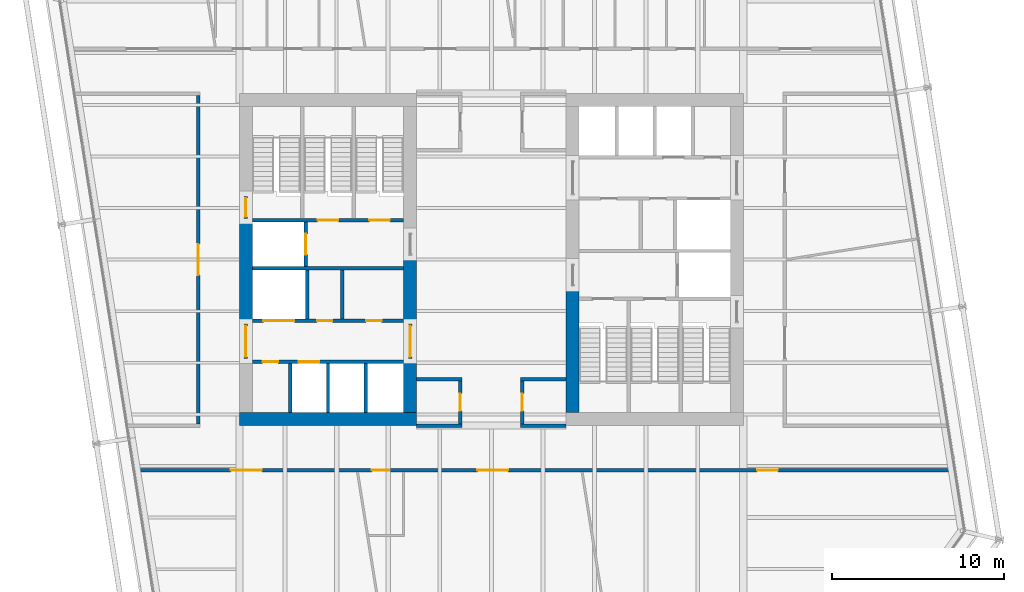
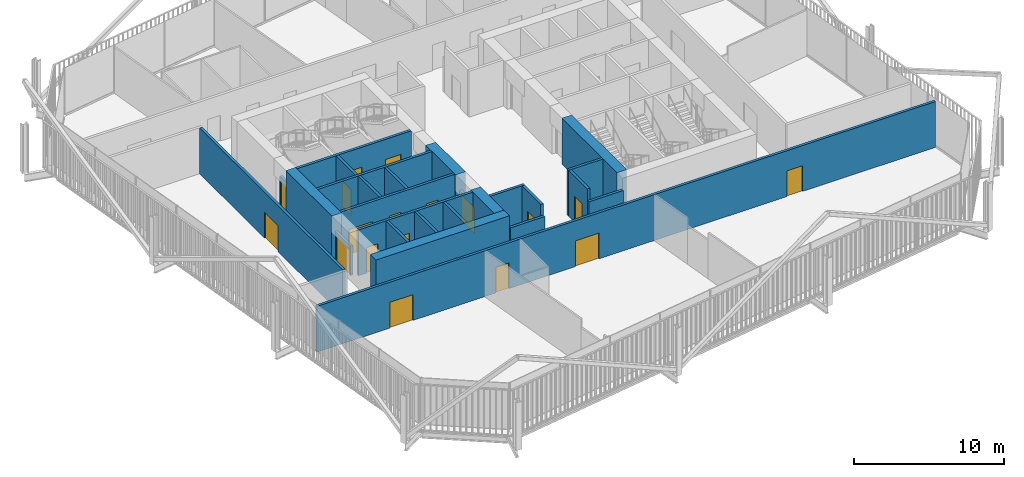
# One storey, part 18 of 22: 26 walls, 18 doors, 18 openings.
"""IFC4 building model written with IfcOpenShell, lengths in metres."""

from ifc_helpers import new_model, si_unit, direction, frame, frame_2d, origin, place, context, subcontext, project, spatial, rectangle, extrude, material, layer, layer_set, type_object, element, fill, save


model = new_model("IFC4")

# Units and contexts
model_context = context("Model", 3, precision=1e-05, world=origin(), true_north=direction((0.0, 1.0)))
body_context = subcontext(model_context, "Body", "Model", "MODEL_VIEW")
ifc_project = project(units=[si_unit("LENGTHUNIT", "METRE"), si_unit("AREAUNIT", "SQUARE_METRE"), si_unit("VOLUMEUNIT", "CUBIC_METRE"), si_unit("PLANEANGLEUNIT", "RADIAN"), si_unit("MASSUNIT", "GRAM", prefix="KILO")], contexts=[model_context])

# Site, building, storey
site_placement = place(None, origin())
site = spatial("IfcSite", under=ifc_project, at=site_placement, CompositionType="ELEMENT")
building_placement = place(site_placement, origin())
building = spatial("IfcBuilding", under=site, at=building_placement, Name="Millrace Tower", CompositionType="ELEMENT")
storey_placement = place(building_placement, frame((0.0, 0.0, 180.0)))
storey = spatial("IfcBuildingStorey", under=building, at=storey_placement, Name="L40", CompositionType="ELEMENT", Elevation=180.0)

# Walls
ifc_material_1 = material(Name="Concrete C70", Category="concrete")
ifc_layer_1 = layer(ifc_material_1, 0.75)
ifc_layer_set_1 = layer_set([ifc_layer_1], Name="Concrete C70")
wall_type_1 = type_object("IfcWallType", Name="Core wall 750 Concrete C70", PredefinedType="SHEAR", material=ifc_layer_set_1)
wall_1_placement = place(storey_placement, frame((-14.64990234375, -9.27490234375, 0.0), z_axis=(0.0, 0.0, 1.0), x_axis=(1.0, 0.0, 0.0)))
element("IfcWall", 1, at=wall_1_placement, inside=storey, type_object=wall_type_1, Name="Core wall W L40", PredefinedType="SHEAR", context=body_context, shape_type="SweptSolid", body=[
    extrude(rectangle(XDim=10.2998046875, YDim=0.75, at=frame_2d((5.14990234375, 0.0))), origin(), (0.0, 0.0, 1.0), 3.739990234375),
])
wall_2_placement = place(storey_placement, frame((-14.27490234375, -3.75, 0.0), z_axis=(0.0, 0.0, 1.0), x_axis=(0.0, 1.0, 0.0)))
element("IfcWall", 2, at=wall_2_placement, inside=storey, type_object=wall_type_1, Name="Core wall W L40", PredefinedType="SHEAR", context=body_context, shape_type="SweptSolid", body=[
    extrude(rectangle(XDim=6.1298828125, YDim=0.75, at=frame_2d((3.06494140625, 0.0))), origin(), (0.0, 0.0, 1.0), 3.739990234375),
])
wall_3_placement = place(storey_placement, frame((-4.72509765625, -8.89990234375, 0.0), z_axis=(0.0, 0.0, 1.0), x_axis=(0.0, 1.0, 0.0)))
element("IfcWall", 3, at=wall_3_placement, inside=storey, type_object=wall_type_1, Name="Core wall W L40", PredefinedType="SHEAR", context=body_context, shape_type="SweptSolid", body=[
    extrude(rectangle(XDim=3.14990234375, YDim=0.75, at=frame_2d((1.574951171875, 0.0))), origin(), (0.0, 0.0, 1.0), 3.739990234375),
])
wall_4_placement = place(storey_placement, frame((-4.72509765625, -3.75, 0.0), z_axis=(0.0, 0.0, 1.0), x_axis=(0.0, 1.0, 0.0)))
element("IfcWall", 4, at=wall_4_placement, inside=storey, type_object=wall_type_1, Name="Core wall W L40", PredefinedType="SHEAR", context=body_context, shape_type="SweptSolid", body=[
    extrude(rectangle(XDim=4.0, YDim=0.75, at=frame_2d((2.0, 0.0))), origin(), (0.0, 0.0, 1.0), 3.739990234375),
])
wall_5_placement = place(storey_placement, frame((4.72509765625, -1.550048828125, 0.0), z_axis=(0.0, 0.0, 1.0), x_axis=(0.0, -1.0, 0.0)))
element("IfcWall", 5, at=wall_5_placement, inside=storey, type_object=wall_type_1, Name="Core wall E L40", PredefinedType="SHEAR", context=body_context, shape_type="SweptSolid", body=[
    extrude(rectangle(XDim=7.349853515625, YDim=0.75, at=frame_2d((3.6748046875, 0.0))), origin(), (0.0, 0.0, 1.0), 3.739990234375),
])

# Wall, openings, doors
ifc_material_2 = material(Name="Masonry partition, fire-rated", Category="masonry")
ifc_layer_2 = layer(ifc_material_2, 0.199951171875)
ifc_layer_set_2 = layer_set([ifc_layer_2], Name="Masonry partition, fire-rated")
wall_type_2 = type_object("IfcWallType", Name="Corridor wall 200", PredefinedType="PARTITIONING", material=ifc_layer_set_2)
wall_6_placement = place(storey_placement, frame((-20.738525390625, -12.25, 0.0), z_axis=(0.0, 0.0, 1.0), x_axis=(1.0, 0.0, 0.0)))
wall_6 = element("IfcWall", 6, at=wall_6_placement, inside=storey, type_object=wall_type_2, Name="Corridor wall L40", PredefinedType="PARTITIONING", context=body_context, shape_type="SweptSolid", body=[
    extrude(rectangle(XDim=47.646484375, YDim=0.199951171875, at=frame_2d((23.8232421875, 0.0))), origin(), (0.0, 0.0, 1.0), 3.739990234375),
])
opening_1_placement = place(wall_6_placement, frame((5.594970703125, 0.0, 0.0)))
opening_1 = element("IfcOpeningElement", 7, at=opening_1_placement, cuts=wall_6, Name="Opening 40-P014", PredefinedType="OPENING", context=body_context, shape_type="SweptSolid", body=[
    extrude(rectangle(XDim=1.800048828125, YDim=2.10009765625, at=frame_2d((0.89990234375, 1.050048828125))), frame((0.0, 0.10986328125, 0.0), z_axis=(0.0, -1.0, 0.0), x_axis=(1.0, 0.0, 0.0)), (0.0, 0.0, 1.0), 0.219970703125),
])
opening_2_placement = place(wall_6_placement, frame((19.919921875, 0.0, 0.0)))
opening_2 = element("IfcOpeningElement", 8, at=opening_2_placement, cuts=wall_6, Name="Opening 40-P015", PredefinedType="OPENING", context=body_context, shape_type="SweptSolid", body=[
    extrude(rectangle(XDim=1.800048828125, YDim=2.10009765625, at=frame_2d((0.89990234375, 1.050048828125))), frame((0.0, 0.10986328125, 0.0), z_axis=(0.0, -1.0, 0.0), x_axis=(1.0, 0.0, 0.0)), (0.0, 0.0, 1.0), 0.219970703125),
])
opening_3_placement = place(wall_6_placement, frame((13.78955078125, 0.0, 0.0)))
opening_3 = element("IfcOpeningElement", 9, at=opening_3_placement, cuts=wall_6, Name="Opening 40-P016", PredefinedType="OPENING", context=body_context, shape_type="SweptSolid", body=[
    extrude(rectangle(XDim=1.0, YDim=2.10009765625, at=frame_2d((0.5, 1.050048828125))), frame((0.0, 0.10986328125, 0.0), z_axis=(0.0, -1.0, 0.0), x_axis=(1.0, 0.0, 0.0)), (0.0, 0.0, 1.0), 0.219970703125),
])
opening_4_placement = place(wall_6_placement, frame((36.197998046875, 0.0, 0.0)))
opening_4 = element("IfcOpeningElement", 10, at=opening_4_placement, cuts=wall_6, Name="Opening 40-P017", PredefinedType="OPENING", context=body_context, shape_type="SweptSolid", body=[
    extrude(rectangle(XDim=1.199951171875, YDim=2.10009765625, at=frame_2d((0.60009765625, 1.050048828125))), frame((0.0, 0.10986328125, 0.0), z_axis=(0.0, -1.0, 0.0), x_axis=(1.0, 0.0, 0.0)), (0.0, 0.0, 1.0), 0.219970703125),
])
ifc_material_3 = material(Name="Steel door set, fire-rated", Category="steel")
door_type_1 = type_object("IfcDoorType", Name="Corridor door 1000 x 2100", OperationType="SINGLE_SWING_LEFT", PredefinedType="DOOR", material=ifc_material_3)
door_1_placement = place(opening_3_placement, frame((1.0, 0.0, 0.0), z_axis=(0.0, 0.0, 1.0), x_axis=(-1.0, 0.0, 0.0)))
door_1 = element("IfcDoor", 11, at=door_1_placement, inside=storey, type_object=door_type_1, Name="Door 40-P016", OperationType="SINGLE_SWING_RIGHT", OverallHeight=2.10009765625, OverallWidth=1.0, PredefinedType="DOOR", context=body_context, shape_type="SweptSolid", body=[
    extrude(rectangle(XDim=1.0, YDim=2.10009765625, at=frame_2d((0.5, 1.050048828125))), frame((0.0, 0.02490234375, 0.0), z_axis=(0.0, -1.0, 0.0), x_axis=(1.0, 0.0, 0.0)), (0.0, 0.0, 1.0), 0.050048828125),
])
fill(opening_3, door_1)
ifc_material_4 = material(Name="Steel door set, fire-rated", Category="steel")
door_type_2 = type_object("IfcDoorType", Name="Corridor door 1200 x 2100", OperationType="SINGLE_SWING_LEFT", PredefinedType="DOOR", material=ifc_material_4)
door_2_placement = place(opening_4_placement, origin())
door_2 = element("IfcDoor", 12, at=door_2_placement, inside=storey, type_object=door_type_2, Name="Door 40-P017", OperationType="SINGLE_SWING_RIGHT", OverallHeight=2.10009765625, OverallWidth=1.199951171875, PredefinedType="DOOR", context=body_context, shape_type="SweptSolid", body=[
    extrude(rectangle(XDim=1.199951171875, YDim=2.10009765625, at=frame_2d((0.60009765625, 1.050048828125))), frame((0.0, 0.02490234375, 0.0), z_axis=(0.0, -1.0, 0.0), x_axis=(1.0, 0.0, 0.0)), (0.0, 0.0, 1.0), 0.050048828125),
])
fill(opening_4, door_2)
ifc_material_5 = material(Name="Steel door set, fire-rated", Category="steel")
door_type_3 = type_object("IfcDoorType", Name="Corridor door 1800 x 2100", OperationType="DOUBLE_DOOR_SINGLE_SWING", PredefinedType="DOOR", material=ifc_material_5)
door_3_placement = place(opening_1_placement, origin())
door_3 = element("IfcDoor", 13, at=door_3_placement, inside=storey, type_object=door_type_3, Name="Door 40-P014", OperationType="DOUBLE_DOOR_SINGLE_SWING", OverallHeight=2.10009765625, OverallWidth=1.800048828125, PredefinedType="DOOR", context=body_context, shape_type="SweptSolid", body=[
    extrude(rectangle(XDim=1.800048828125, YDim=2.10009765625, at=frame_2d((0.89990234375, 1.050048828125))), frame((0.0, 0.02490234375, 0.0), z_axis=(0.0, -1.0, 0.0), x_axis=(1.0, 0.0, 0.0)), (0.0, 0.0, 1.0), 0.050048828125),
])
fill(opening_1, door_3)
door_4_placement = place(opening_2_placement, frame((1.800048828125, 0.0, 0.0), z_axis=(0.0, 0.0, 1.0), x_axis=(-1.0, 0.0, 0.0)))
door_4 = element("IfcDoor", 14, at=door_4_placement, inside=storey, type_object=door_type_3, Name="Door 40-P015", OperationType="DOUBLE_DOOR_SINGLE_SWING", OverallHeight=2.10009765625, OverallWidth=1.800048828125, PredefinedType="DOOR", context=body_context, shape_type="SweptSolid", body=[
    extrude(rectangle(XDim=1.800048828125, YDim=2.10009765625, at=frame_2d((0.89990234375, 1.050048828125))), frame((0.0, 0.02490234375, 0.0), z_axis=(0.0, -1.0, 0.0), x_axis=(1.0, 0.0, 0.0)), (0.0, 0.0, 1.0), 0.050048828125),
])
fill(opening_2, door_4)

# Walls
for number, where, z_axis, x_axis, name in (
    (15, (-4.35009765625, -9.64990234375, 0.0), (0.0, 0.0, 1.0), (1.0, 0.0, 0.0), "Corridor wall L40"),
    (16, (1.699951171875, -9.64990234375, 0.0), (0.0, 0.0, 1.0), (1.0, 0.0, 0.0), "Corridor wall L40"),
):
    element("IfcWall", number, at=place(storey_placement, frame(where, z_axis=z_axis, x_axis=x_axis)), inside=storey, type_object=wall_type_2, Name=name, PredefinedType="PARTITIONING", context=body_context, shape_type="SweptSolid", body=[
        extrude(rectangle(XDim=2.650146484375, YDim=0.199951171875, at=frame_2d((1.3251953125, 0.0))), origin(), (0.0, 0.0, 1.0), 2.81298828125),
    ])
for number, where, z_axis, x_axis, name in (
    (17, (-4.35009765625, -6.949951171875, 0.0), (0.0, 0.0, 1.0), (1.0, 0.0, 0.0), "Corridor wall L40"),
    (18, (1.699951171875, -6.949951171875, 0.0), (0.0, 0.0, 1.0), (1.0, 0.0, 0.0), "Corridor wall L40"),
):
    element("IfcWall", number, at=place(storey_placement, frame(where, z_axis=z_axis, x_axis=x_axis)), inside=storey, type_object=wall_type_2, Name=name, PredefinedType="PARTITIONING", context=body_context, shape_type="SweptSolid", body=[
        extrude(rectangle(XDim=2.650146484375, YDim=0.199951171875, at=frame_2d((1.3251953125, 0.0))), origin(), (0.0, 0.0, 1.0), 3.739990234375),
    ])

# Wall, opening, door
wall_7_placement = place(storey_placement, frame((1.800048828125, -9.550048828125, 0.0), z_axis=(0.0, 0.0, 1.0), x_axis=(0.0, 1.0, 0.0)))
wall_7 = element("IfcWall", 19, at=wall_7_placement, inside=storey, type_object=wall_type_2, Name="Corridor wall L40", PredefinedType="PARTITIONING", context=body_context, shape_type="SweptSolid", body=[
    extrude(rectangle(XDim=2.5, YDim=0.199951171875, at=frame_2d((1.25, 0.0))), origin(), (0.0, 0.0, 1.0), 3.739990234375),
])
opening_5_placement = place(wall_7_placement, frame((0.75, 0.0, 0.0)))
opening_5 = element("IfcOpeningElement", 20, at=opening_5_placement, cuts=wall_7, Name="Opening 40-P004", PredefinedType="OPENING", context=body_context, shape_type="SweptSolid", body=[
    extrude(rectangle(XDim=1.0, YDim=2.10009765625, at=frame_2d((0.5, 1.050048828125))), frame((0.0, 0.10986328125, 0.0), z_axis=(0.0, -1.0, 0.0), x_axis=(1.0, 0.0, 0.0)), (0.0, 0.0, 1.0), 0.219970703125),
])
door_5_placement = place(opening_5_placement, frame((1.0, 0.0, 0.0), z_axis=(0.0, 0.0, 1.0), x_axis=(-1.0, 0.0, 0.0)))
door_5 = element("IfcDoor", 21, at=door_5_placement, inside=storey, type_object=door_type_1, Name="Door 40-P004", OperationType="SINGLE_SWING_LEFT", OverallHeight=2.10009765625, OverallWidth=1.0, PredefinedType="DOOR", context=body_context, shape_type="SweptSolid", body=[
    extrude(rectangle(XDim=1.0, YDim=2.10009765625, at=frame_2d((0.5, 1.050048828125))), frame((0.0, 0.02490234375, 0.0), z_axis=(0.0, -1.0, 0.0), x_axis=(1.0, 0.0, 0.0)), (0.0, 0.0, 1.0), 0.050048828125),
])
fill(opening_5, door_5)

wall_8_placement = place(storey_placement, frame((-1.800048828125, -9.550048828125, 0.0), z_axis=(0.0, 0.0, 1.0), x_axis=(0.0, 1.0, 0.0)))
wall_8 = element("IfcWall", 22, at=wall_8_placement, inside=storey, type_object=wall_type_2, Name="Corridor wall L40", PredefinedType="PARTITIONING", context=body_context, shape_type="SweptSolid", body=[
    extrude(rectangle(XDim=2.5, YDim=0.199951171875, at=frame_2d((1.25, 0.0))), origin(), (0.0, 0.0, 1.0), 3.739990234375),
])
opening_6_placement = place(wall_8_placement, frame((0.75, 0.0, 0.0)))
opening_6 = element("IfcOpeningElement", 23, at=opening_6_placement, cuts=wall_8, Name="Opening 40-P003", PredefinedType="OPENING", context=body_context, shape_type="SweptSolid", body=[
    extrude(rectangle(XDim=1.0, YDim=2.10009765625, at=frame_2d((0.5, 1.050048828125))), frame((0.0, 0.10986328125, 0.0), z_axis=(0.0, -1.0, 0.0), x_axis=(1.0, 0.0, 0.0)), (0.0, 0.0, 1.0), 0.219970703125),
])
door_6_placement = place(opening_6_placement, origin())
door_6 = element("IfcDoor", 24, at=door_6_placement, inside=storey, type_object=door_type_1, Name="Door 40-P003", OperationType="SINGLE_SWING_RIGHT", OverallHeight=2.10009765625, OverallWidth=1.0, PredefinedType="DOOR", context=body_context, shape_type="SweptSolid", body=[
    extrude(rectangle(XDim=1.0, YDim=2.10009765625, at=frame_2d((0.5, 1.050048828125))), frame((0.0, 0.02490234375, 0.0), z_axis=(0.0, -1.0, 0.0), x_axis=(1.0, 0.0, 0.0)), (0.0, 0.0, 1.0), 0.050048828125),
])
fill(opening_6, door_6)

wall_9_placement = place(storey_placement, frame((-17.050048828125, -9.550048828125, 0.0), z_axis=(0.0, 0.0, 1.0), x_axis=(0.0, 1.0, 0.0)))
wall_9 = element("IfcWall", 25, at=wall_9_placement, inside=storey, type_object=wall_type_2, Name="Corridor wall L40", PredefinedType="PARTITIONING", context=body_context, shape_type="SweptSolid", body=[
    extrude(rectangle(XDim=19.10009765625, YDim=0.199951171875, at=frame_2d((9.550048828125, 0.0))), origin(), (0.0, 0.0, 1.0), 3.739990234375),
])
opening_7_placement = place(wall_9_placement, frame((8.64990234375, 0.0, 0.0)))
opening_7 = element("IfcOpeningElement", 26, at=opening_7_placement, cuts=wall_9, Name="Opening 40-P018", PredefinedType="OPENING", context=body_context, shape_type="SweptSolid", body=[
    extrude(rectangle(XDim=1.800048828125, YDim=2.10009765625, at=frame_2d((0.89990234375, 1.050048828125))), frame((0.0, 0.10986328125, 0.0), z_axis=(0.0, -1.0, 0.0), x_axis=(1.0, 0.0, 0.0)), (0.0, 0.0, 1.0), 0.219970703125),
])
door_7_placement = place(opening_7_placement, origin())
door_7 = element("IfcDoor", 27, at=door_7_placement, inside=storey, type_object=door_type_3, Name="Door 40-P018", OperationType="DOUBLE_DOOR_SINGLE_SWING", OverallHeight=2.10009765625, OverallWidth=1.800048828125, PredefinedType="DOOR", context=body_context, shape_type="SweptSolid", body=[
    extrude(rectangle(XDim=1.800048828125, YDim=2.10009765625, at=frame_2d((0.89990234375, 1.050048828125))), frame((0.0, 0.02490234375, 0.0), z_axis=(0.0, -1.0, 0.0), x_axis=(1.0, 0.0, 0.0)), (0.0, 0.0, 1.0), 0.050048828125),
])
fill(opening_7, door_7)

# Wall, openings, doors
ifc_material_6 = material(Name="Masonry partition, fire-rated", Category="masonry")
ifc_layer_3 = layer(ifc_material_6, 0.199951171875)
ifc_layer_set_3 = layer_set([ifc_layer_3], Name="Masonry partition, fire-rated")
wall_type_3 = type_object("IfcWallType", Name="Lift shaft wall 200", PredefinedType="PARTITIONING", material=ifc_layer_set_3)
wall_10_placement = place(storey_placement, frame((-13.89990234375, -5.949951171875, 0.0), z_axis=(0.0, 0.0, 1.0), x_axis=(1.0, 0.0, 0.0)))
wall_10 = element("IfcWall", 28, at=wall_10_placement, inside=storey, type_object=wall_type_3, Name="Lift shaft wall W L40", PredefinedType="PARTITIONING", context=body_context, shape_type="SweptSolid", body=[
    extrude(rectangle(XDim=8.7998046875, YDim=0.199951171875, at=frame_2d((4.39990234375, 0.0))), origin(), (0.0, 0.0, 1.0), 3.739990234375),
])
opening_8_placement = place(wall_10_placement, frame((2.699951171875, 0.0, 0.0)))
opening_8 = element("IfcOpeningElement", 29, at=opening_8_placement, cuts=wall_10, Name="Opening 40-LD02", PredefinedType="OPENING", context=body_context, shape_type="SweptSolid", body=[
    extrude(rectangle(XDim=1.199951171875, YDim=2.10009765625, at=frame_2d((0.60009765625, 1.050048828125))), frame((0.0, 0.10986328125, 0.0), z_axis=(0.0, -1.0, 0.0), x_axis=(1.0, 0.0, 0.0)), (0.0, 0.0, 1.0), 0.219970703125),
])
opening_9_placement = place(wall_10_placement, frame((0.60009765625, 0.0, 0.0)))
opening_9 = element("IfcOpeningElement", 30, at=opening_9_placement, cuts=wall_10, Name="Opening 40-C005", PredefinedType="OPENING", context=body_context, shape_type="SweptSolid", body=[
    extrude(rectangle(XDim=0.89990234375, YDim=2.10009765625, at=frame_2d((0.449951171875, 1.050048828125))), frame((0.0, 0.10986328125, 0.0), z_axis=(0.0, -1.0, 0.0), x_axis=(1.0, 0.0, 0.0)), (0.0, 0.0, 1.0), 0.219970703125),
])
ifc_material_7 = material(Name="Stainless steel, fire-rated", Category="steel")
door_type_4 = type_object("IfcDoorType", Name="Lift landing door 1200 x 2100", OperationType="DOUBLE_DOOR_SLIDING", PredefinedType="DOOR", material=ifc_material_7)
door_8_placement = place(opening_8_placement, origin())
door_8 = element("IfcDoor", 31, at=door_8_placement, inside=storey, type_object=door_type_4, Name="Lift landing door LF2 L40", OperationType="DOUBLE_DOOR_SLIDING", OverallHeight=2.10009765625, OverallWidth=1.199951171875, PredefinedType="DOOR", context=body_context, shape_type="SweptSolid", body=[
    extrude(rectangle(XDim=1.199951171875, YDim=2.10009765625, at=frame_2d((0.60009765625, 1.050048828125))), frame((0.0, 0.02490234375, 0.0), z_axis=(0.0, -1.0, 0.0), x_axis=(1.0, 0.0, 0.0)), (0.0, 0.0, 1.0), 0.050048828125),
])
fill(opening_8, door_8)
ifc_material_8 = material(Name="Steel door, fire-rated", Category="steel")
door_type_5 = type_object("IfcDoorType", Name="Service room door 900 x 2100", OperationType="SINGLE_SWING_LEFT", PredefinedType="DOOR", material=ifc_material_8)
door_9_placement = place(opening_9_placement, frame((0.89990234375, 0.0, 0.0), z_axis=(0.0, 0.0, 1.0), x_axis=(-1.0, 0.0, 0.0)))
door_9 = element("IfcDoor", 32, at=door_9_placement, inside=storey, type_object=door_type_5, Name="Service room door 40-C005", OperationType="SINGLE_SWING_RIGHT", OverallHeight=2.10009765625, OverallWidth=0.89990234375, PredefinedType="DOOR", context=body_context, shape_type="SweptSolid", body=[
    extrude(rectangle(XDim=0.89990234375, YDim=2.10009765625, at=frame_2d((0.449951171875, 1.050048828125))), frame((0.0, 0.02490234375, 0.0), z_axis=(0.0, -1.0, 0.0), x_axis=(1.0, 0.0, 0.0)), (0.0, 0.0, 1.0), 0.050048828125),
])
fill(opening_9, door_9)

wall_11_placement = place(storey_placement, frame((-13.89990234375, -3.550048828125, 0.0), z_axis=(0.0, 0.0, 1.0), x_axis=(1.0, 0.0, 0.0)))
wall_11 = element("IfcWall", 33, at=wall_11_placement, inside=storey, type_object=wall_type_3, Name="Lift shaft wall W L40", PredefinedType="PARTITIONING", context=body_context, shape_type="SweptSolid", body=[
    extrude(rectangle(XDim=8.7998046875, YDim=0.199951171875, at=frame_2d((4.39990234375, 0.0))), origin(), (0.0, 0.0, 1.0), 3.739990234375),
])
opening_10_placement = place(wall_11_placement, frame((0.64990234375, 0.0, 0.0)))
opening_10 = element("IfcOpeningElement", 34, at=opening_10_placement, cuts=wall_11, Name="Opening 40-LD05", PredefinedType="OPENING", context=body_context, shape_type="SweptSolid", body=[
    extrude(rectangle(XDim=1.800048828125, YDim=2.10009765625, at=frame_2d((0.89990234375, 1.050048828125))), frame((0.0, 0.10986328125, 0.0), z_axis=(0.0, -1.0, 0.0), x_axis=(1.0, 0.0, 0.0)), (0.0, 0.0, 1.0), 0.219970703125),
])
opening_11_placement = place(wall_11_placement, frame((3.762451171875, 0.0, 0.0)))
opening_11 = element("IfcOpeningElement", 35, at=opening_11_placement, cuts=wall_11, Name="Opening 40-C006", PredefinedType="OPENING", context=body_context, shape_type="SweptSolid", body=[
    extrude(rectangle(XDim=0.89990234375, YDim=2.10009765625, at=frame_2d((0.449951171875, 1.050048828125))), frame((0.0, 0.10986328125, 0.0), z_axis=(0.0, -1.0, 0.0), x_axis=(1.0, 0.0, 0.0)), (0.0, 0.0, 1.0), 0.219970703125),
])
opening_12_placement = place(wall_11_placement, frame((6.612548828125, 0.0, 0.0)))
opening_12 = element("IfcOpeningElement", 36, at=opening_12_placement, cuts=wall_11, Name="Opening 40-C007", PredefinedType="OPENING", context=body_context, shape_type="SweptSolid", body=[
    extrude(rectangle(XDim=0.89990234375, YDim=2.10009765625, at=frame_2d((0.449951171875, 1.050048828125))), frame((0.0, 0.10986328125, 0.0), z_axis=(0.0, -1.0, 0.0), x_axis=(1.0, 0.0, 0.0)), (0.0, 0.0, 1.0), 0.219970703125),
])
ifc_material_9 = material(Name="Stainless steel, fire-rated", Category="steel")
door_type_6 = type_object("IfcDoorType", Name="Lift landing door 1800 x 2100", OperationType="DOUBLE_DOOR_SLIDING", PredefinedType="DOOR", material=ifc_material_9)
door_10_placement = place(opening_10_placement, origin())
door_10 = element("IfcDoor", 37, at=door_10_placement, inside=storey, type_object=door_type_6, Name="Lift landing door LF5 L40", OperationType="DOUBLE_DOOR_SLIDING", OverallHeight=2.10009765625, OverallWidth=1.800048828125, PredefinedType="DOOR", context=body_context, shape_type="SweptSolid", body=[
    extrude(rectangle(XDim=1.800048828125, YDim=2.10009765625, at=frame_2d((0.89990234375, 1.050048828125))), frame((0.0, 0.02490234375, 0.0), z_axis=(0.0, -1.0, 0.0), x_axis=(1.0, 0.0, 0.0)), (0.0, 0.0, 1.0), 0.050048828125),
])
fill(opening_10, door_10)
door_11_placement = place(opening_11_placement, origin())
door_11 = element("IfcDoor", 38, at=door_11_placement, inside=storey, type_object=door_type_5, Name="Service room door 40-C006", OperationType="SINGLE_SWING_LEFT", OverallHeight=2.10009765625, OverallWidth=0.89990234375, PredefinedType="DOOR", context=body_context, shape_type="SweptSolid", body=[
    extrude(rectangle(XDim=0.89990234375, YDim=2.10009765625, at=frame_2d((0.449951171875, 1.050048828125))), frame((0.0, 0.02490234375, 0.0), z_axis=(0.0, -1.0, 0.0), x_axis=(1.0, 0.0, 0.0)), (0.0, 0.0, 1.0), 0.050048828125),
])
fill(opening_11, door_11)
door_12_placement = place(opening_12_placement, origin())
door_12 = element("IfcDoor", 39, at=door_12_placement, inside=storey, type_object=door_type_5, Name="Service room door 40-C007", OperationType="SINGLE_SWING_RIGHT", OverallHeight=2.10009765625, OverallWidth=0.89990234375, PredefinedType="DOOR", context=body_context, shape_type="SweptSolid", body=[
    extrude(rectangle(XDim=0.89990234375, YDim=2.10009765625, at=frame_2d((0.449951171875, 1.050048828125))), frame((0.0, 0.02490234375, 0.0), z_axis=(0.0, -1.0, 0.0), x_axis=(1.0, 0.0, 0.0)), (0.0, 0.0, 1.0), 0.050048828125),
])
fill(opening_12, door_12)

# Wall
wall_12_placement = place(storey_placement, frame((-13.89990234375, -0.5, 0.0), z_axis=(0.0, 0.0, 1.0), x_axis=(1.0, 0.0, 0.0)))
element("IfcWall", 40, at=wall_12_placement, inside=storey, type_object=wall_type_3, Name="Lift shaft wall W L40", PredefinedType="PARTITIONING", context=body_context, shape_type="SweptSolid", body=[
    extrude(rectangle(XDim=8.7998046875, YDim=0.199951171875, at=frame_2d((4.39990234375, 0.0))), origin(), (0.0, 0.0, 1.0), 3.739990234375),
])

# Wall, opening, door
wall_13_placement = place(storey_placement, frame((-10.800048828125, -0.39990234375, 0.0), z_axis=(0.0, 0.0, 1.0), x_axis=(0.0, 1.0, 0.0)))
wall_13 = element("IfcWall", 41, at=wall_13_placement, inside=storey, type_object=wall_type_3, Name="Lift shaft wall W L40", PredefinedType="PARTITIONING", context=body_context, shape_type="SweptSolid", body=[
    extrude(rectangle(XDim=2.579833984375, YDim=0.199951171875, at=frame_2d((1.2900390625, 0.0))), origin(), (0.0, 0.0, 1.0), 3.739990234375),
])
opening_13_placement = place(wall_13_placement, frame((0.68994140625, 0.0, 0.0)))
opening_13 = element("IfcOpeningElement", 42, at=opening_13_placement, cuts=wall_13, Name="Opening 40-LD08", PredefinedType="OPENING", context=body_context, shape_type="SweptSolid", body=[
    extrude(rectangle(XDim=1.199951171875, YDim=2.10009765625, at=frame_2d((0.60009765625, 1.050048828125))), frame((0.0, 0.10986328125, 0.0), z_axis=(0.0, -1.0, 0.0), x_axis=(1.0, 0.0, 0.0)), (0.0, 0.0, 1.0), 0.219970703125),
])
door_13_placement = place(opening_13_placement, origin())
door_13 = element("IfcDoor", 43, at=door_13_placement, inside=storey, type_object=door_type_4, Name="Lift landing door LF8 L40", OperationType="DOUBLE_DOOR_SLIDING", OverallHeight=2.10009765625, OverallWidth=1.199951171875, PredefinedType="DOOR", context=body_context, shape_type="SweptSolid", body=[
    extrude(rectangle(XDim=1.199951171875, YDim=2.10009765625, at=frame_2d((0.60009765625, 1.050048828125))), frame((0.0, 0.02490234375, 0.0), z_axis=(0.0, -1.0, 0.0), x_axis=(1.0, 0.0, 0.0)), (0.0, 0.0, 1.0), 0.050048828125),
])
fill(opening_13, door_13)

# Walls
for number, where, z_axis, x_axis, name in (
    (44, (-11.699951171875, -8.89990234375, 0.0), (0.0, 0.0, 1.0), (0.0, 1.0, 0.0), "Lift shaft wall W L40"),
    (45, (-9.5, -8.89990234375, 0.0), (0.0, 0.0, 1.0), (0.0, 1.0, 0.0), "Lift shaft wall W L40"),
    (46, (-7.300048828125, -8.89990234375, 0.0), (0.0, 0.0, 1.0), (0.0, 1.0, 0.0), "Lift shaft wall W L40"),
    (47, (-10.699951171875, -3.449951171875, 0.0), (0.0, 0.0, 1.0), (0.0, 1.0, 0.0), "Lift shaft wall W L40"),
):
    element("IfcWall", number, at=place(storey_placement, frame(where, z_axis=z_axis, x_axis=x_axis)), inside=storey, type_object=wall_type_3, Name=name, PredefinedType="PARTITIONING", context=body_context, shape_type="SweptSolid", body=[
        extrude(rectangle(XDim=2.849853515625, YDim=0.199951171875, at=frame_2d((1.4248046875, 0.0))), origin(), (0.0, 0.0, 1.0), 3.739990234375),
    ])

# Wall, opening, door
ifc_material_10 = material(Name="Masonry partition, fire-rated", Category="masonry")
ifc_layer_4 = layer(ifc_material_10, 0.199951171875)
ifc_layer_set_4 = layer_set([ifc_layer_4], Name="Masonry partition, fire-rated")
wall_type_4 = type_object("IfcWallType", Name="Lobby wall 200", PredefinedType="PARTITIONING", material=ifc_layer_set_4)
wall_14_placement = place(storey_placement, frame((-14.27490234375, -5.75, 0.0), z_axis=(0.0, 0.0, 1.0), x_axis=(0.0, 1.0, 0.0)))
wall_14 = element("IfcWall", 48, at=wall_14_placement, inside=storey, type_object=wall_type_4, Name="Lobby wall W L40", PredefinedType="PARTITIONING", context=body_context, shape_type="SweptSolid", body=[
    extrude(rectangle(XDim=2.0, YDim=0.199951171875, at=frame_2d((1.0, 0.0))), origin(), (0.0, 0.0, 1.0), 2.39990234375),
])
opening_14_placement = place(wall_14_placement, frame((0.10009765625, 0.0, 0.0)))
opening_14 = element("IfcOpeningElement", 49, at=opening_14_placement, cuts=wall_14, Name="Opening 40-C001", PredefinedType="OPENING", context=body_context, shape_type="SweptSolid", body=[
    extrude(rectangle(XDim=1.800048828125, YDim=2.10009765625, at=frame_2d((0.89990234375, 1.050048828125))), frame((0.0, 0.10986328125, 0.0), z_axis=(0.0, -1.0, 0.0), x_axis=(1.0, 0.0, 0.0)), (0.0, 0.0, 1.0), 0.219970703125),
])
ifc_material_11 = material(Name="Steel door, fire-rated", Category="steel")
door_type_7 = type_object("IfcDoorType", Name="Lobby door 1800 x 2100", OperationType="DOUBLE_DOOR_SINGLE_SWING", PredefinedType="DOOR", material=ifc_material_11)
door_14_placement = place(opening_14_placement, origin())
door_14 = element("IfcDoor", 50, at=door_14_placement, inside=storey, type_object=door_type_7, Name="Lobby door 40-C001", OperationType="DOUBLE_DOOR_SINGLE_SWING", OverallHeight=2.10009765625, OverallWidth=1.800048828125, PredefinedType="DOOR", context=body_context, shape_type="SweptSolid", body=[
    extrude(rectangle(XDim=1.800048828125, YDim=2.10009765625, at=frame_2d((0.89990234375, 1.050048828125))), frame((0.0, 0.02490234375, 0.0), z_axis=(0.0, -1.0, 0.0), x_axis=(1.0, 0.0, 0.0)), (0.0, 0.0, 1.0), 0.050048828125),
])
fill(opening_14, door_14)

wall_15_placement = place(storey_placement, frame((-4.72509765625, -5.75, 0.0), z_axis=(0.0, 0.0, 1.0), x_axis=(0.0, 1.0, 0.0)))
wall_15 = element("IfcWall", 51, at=wall_15_placement, inside=storey, type_object=wall_type_4, Name="Lobby wall W L40", PredefinedType="PARTITIONING", context=body_context, shape_type="SweptSolid", body=[
    extrude(rectangle(XDim=2.0, YDim=0.199951171875, at=frame_2d((1.0, 0.0))), origin(), (0.0, 0.0, 1.0), 2.39990234375),
])
opening_15_placement = place(wall_15_placement, frame((0.10009765625, 0.0, 0.0)))
opening_15 = element("IfcOpeningElement", 52, at=opening_15_placement, cuts=wall_15, Name="Opening 40-C003", PredefinedType="OPENING", context=body_context, shape_type="SweptSolid", body=[
    extrude(rectangle(XDim=1.800048828125, YDim=2.10009765625, at=frame_2d((0.89990234375, 1.050048828125))), frame((0.0, 0.10986328125, 0.0), z_axis=(0.0, -1.0, 0.0), x_axis=(1.0, 0.0, 0.0)), (0.0, 0.0, 1.0), 0.219970703125),
])
door_15_placement = place(opening_15_placement, origin())
door_15 = element("IfcDoor", 53, at=door_15_placement, inside=storey, type_object=door_type_7, Name="Lobby door 40-C003", OperationType="DOUBLE_DOOR_SINGLE_SWING", OverallHeight=2.10009765625, OverallWidth=1.800048828125, PredefinedType="DOOR", context=body_context, shape_type="SweptSolid", body=[
    extrude(rectangle(XDim=1.800048828125, YDim=2.10009765625, at=frame_2d((0.89990234375, 1.050048828125))), frame((0.0, 0.02490234375, 0.0), z_axis=(0.0, -1.0, 0.0), x_axis=(1.0, 0.0, 0.0)), (0.0, 0.0, 1.0), 0.050048828125),
])
fill(opening_15, door_15)

# Wall
ifc_material_12 = material(Name="Masonry partition, fire-rated", Category="masonry")
ifc_layer_5 = layer(ifc_material_12, 0.199951171875)
ifc_layer_set_5 = layer_set([ifc_layer_5], Name="Masonry partition, fire-rated")
wall_type_5 = type_object("IfcWallType", Name="Room partition 200", PredefinedType="PARTITIONING", material=ifc_layer_set_5)
wall_16_placement = place(storey_placement, frame((-8.675048828125, -3.449951171875, 0.0), z_axis=(0.0, 0.0, 1.0), x_axis=(0.0, 1.0, 0.0)))
element("IfcWall", 54, at=wall_16_placement, inside=storey, type_object=wall_type_5, Name="Room partition W L40", PredefinedType="PARTITIONING", context=body_context, shape_type="SweptSolid", body=[
    extrude(rectangle(XDim=2.849853515625, YDim=0.199951171875, at=frame_2d((1.4248046875, 0.0))), origin(), (0.0, 0.0, 1.0), 3.739990234375),
])

# Wall, opening, door
ifc_material_13 = material(Name="Concrete C40", Category="concrete")
ifc_layer_6 = layer(ifc_material_13, 0.199951171875)
ifc_layer_set_6 = layer_set([ifc_layer_6], Name="Concrete C40")
wall_type_6 = type_object("IfcWallType", Name="Stair enclosure wall 200 Concrete C40", PredefinedType="SHEAR", material=ifc_layer_set_6)
wall_17_placement = place(storey_placement, frame((-14.27490234375, 2.3798828125, 0.0), z_axis=(0.0, 0.0, 1.0), x_axis=(0.0, 1.0, 0.0)))
wall_17 = element("IfcWall", 55, at=wall_17_placement, inside=storey, type_object=wall_type_6, Name="Stair enclosure wall W L40", PredefinedType="SHEAR", context=body_context, shape_type="SweptSolid", body=[
    extrude(rectangle(XDim=1.300048828125, YDim=0.199951171875, at=frame_2d((0.64990234375, 0.0))), origin(), (0.0, 0.0, 1.0), 2.39990234375),
])
opening_16_placement = place(wall_17_placement, frame((0.10009765625, 0.0, 0.0)))
opening_16 = element("IfcOpeningElement", 56, at=opening_16_placement, cuts=wall_17, Name="Opening 40-C002", PredefinedType="OPENING", context=body_context, shape_type="SweptSolid", body=[
    extrude(rectangle(XDim=1.10009765625, YDim=2.10009765625, at=frame_2d((0.550048828125, 1.050048828125))), frame((0.0, 0.10986328125, 0.0), z_axis=(0.0, -1.0, 0.0), x_axis=(1.0, 0.0, 0.0)), (0.0, 0.0, 1.0), 0.219970703125),
])
ifc_material_14 = material(Name="Steel door, fire-rated", Category="steel")
door_type_8 = type_object("IfcDoorType", Name="Stair door 1100 x 2100", OperationType="SINGLE_SWING_LEFT", PredefinedType="DOOR", material=ifc_material_14)
door_16_placement = place(opening_16_placement, origin())
door_16 = element("IfcDoor", 57, at=door_16_placement, inside=storey, type_object=door_type_8, Name="Stair door 40-C002", OperationType="SINGLE_SWING_LEFT", OverallHeight=2.10009765625, OverallWidth=1.10009765625, PredefinedType="DOOR", context=body_context, shape_type="SweptSolid", body=[
    extrude(rectangle(XDim=1.10009765625, YDim=2.10009765625, at=frame_2d((0.550048828125, 1.050048828125))), frame((0.0, 0.02490234375, 0.0), z_axis=(0.0, -1.0, 0.0), x_axis=(1.0, 0.0, 0.0)), (0.0, 0.0, 1.0), 0.050048828125),
])
fill(opening_16, door_16)

# Wall, openings, doors
wall_18_placement = place(storey_placement, frame((-13.89990234375, 2.280029296875, 0.0), z_axis=(0.0, 0.0, 1.0), x_axis=(1.0, 0.0, 0.0)))
wall_18 = element("IfcWall", 58, at=wall_18_placement, inside=storey, type_object=wall_type_6, Name="Stair enclosure wall W L40", PredefinedType="SHEAR", context=body_context, shape_type="SweptSolid", body=[
    extrude(rectangle(XDim=8.7998046875, YDim=0.199951171875, at=frame_2d((4.39990234375, 0.0))), origin(), (0.0, 0.0, 1.0), 3.739990234375),
])
opening_17_placement = place(wall_18_placement, frame((3.800048828125, 0.0, 0.0)))
opening_17 = element("IfcOpeningElement", 59, at=opening_17_placement, cuts=wall_18, Name="Opening 40-C008", PredefinedType="OPENING", context=body_context, shape_type="SweptSolid", body=[
    extrude(rectangle(XDim=1.199951171875, YDim=2.10009765625, at=frame_2d((0.60009765625, 1.050048828125))), frame((0.0, 0.10986328125, 0.0), z_axis=(0.0, -1.0, 0.0), x_axis=(1.0, 0.0, 0.0)), (0.0, 0.0, 1.0), 0.219970703125),
])
opening_18_placement = place(wall_18_placement, frame((6.800048828125, 0.0, 0.0)))
opening_18 = element("IfcOpeningElement", 60, at=opening_18_placement, cuts=wall_18, Name="Opening 40-C009", PredefinedType="OPENING", context=body_context, shape_type="SweptSolid", body=[
    extrude(rectangle(XDim=1.199951171875, YDim=2.10009765625, at=frame_2d((0.60009765625, 1.050048828125))), frame((0.0, 0.10986328125, 0.0), z_axis=(0.0, -1.0, 0.0), x_axis=(1.0, 0.0, 0.0)), (0.0, 0.0, 1.0), 0.219970703125),
])
ifc_material_15 = material(Name="Steel door, fire-rated", Category="steel")
door_type_9 = type_object("IfcDoorType", Name="Stair door 1200 x 2100", OperationType="SINGLE_SWING_LEFT", PredefinedType="DOOR", material=ifc_material_15)
door_17_placement = place(opening_17_placement, frame((1.199951171875, 0.0, 0.0), z_axis=(0.0, 0.0, 1.0), x_axis=(-1.0, 0.0, 0.0)))
door_17 = element("IfcDoor", 61, at=door_17_placement, inside=storey, type_object=door_type_9, Name="Stair door 40-C008", OperationType="SINGLE_SWING_RIGHT", OverallHeight=2.10009765625, OverallWidth=1.199951171875, PredefinedType="DOOR", context=body_context, shape_type="SweptSolid", body=[
    extrude(rectangle(XDim=1.199951171875, YDim=2.10009765625, at=frame_2d((0.60009765625, 1.050048828125))), frame((0.0, 0.02490234375, 0.0), z_axis=(0.0, -1.0, 0.0), x_axis=(1.0, 0.0, 0.0)), (0.0, 0.0, 1.0), 0.050048828125),
])
fill(opening_17, door_17)
door_18_placement = place(opening_18_placement, frame((1.199951171875, 0.0, 0.0), z_axis=(0.0, 0.0, 1.0), x_axis=(-1.0, 0.0, 0.0)))
door_18 = element("IfcDoor", 62, at=door_18_placement, inside=storey, type_object=door_type_9, Name="Stair door 40-C009", OperationType="SINGLE_SWING_LEFT", OverallHeight=2.10009765625, OverallWidth=1.199951171875, PredefinedType="DOOR", context=body_context, shape_type="SweptSolid", body=[
    extrude(rectangle(XDim=1.199951171875, YDim=2.10009765625, at=frame_2d((0.60009765625, 1.050048828125))), frame((0.0, 0.02490234375, 0.0), z_axis=(0.0, -1.0, 0.0), x_axis=(1.0, 0.0, 0.0)), (0.0, 0.0, 1.0), 0.050048828125),
])
fill(opening_18, door_18)

save(model, "model.ifc")
